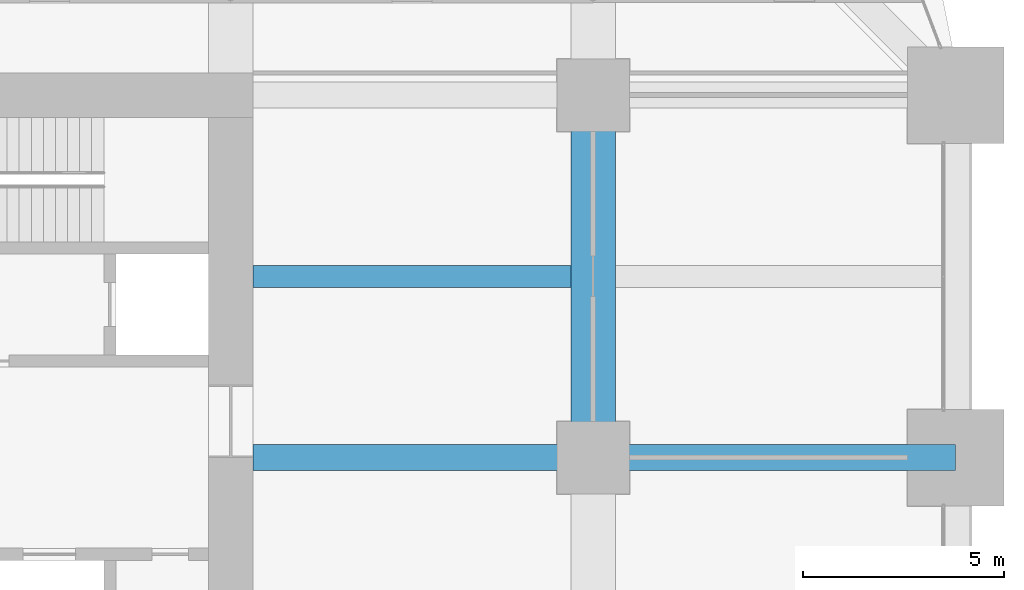
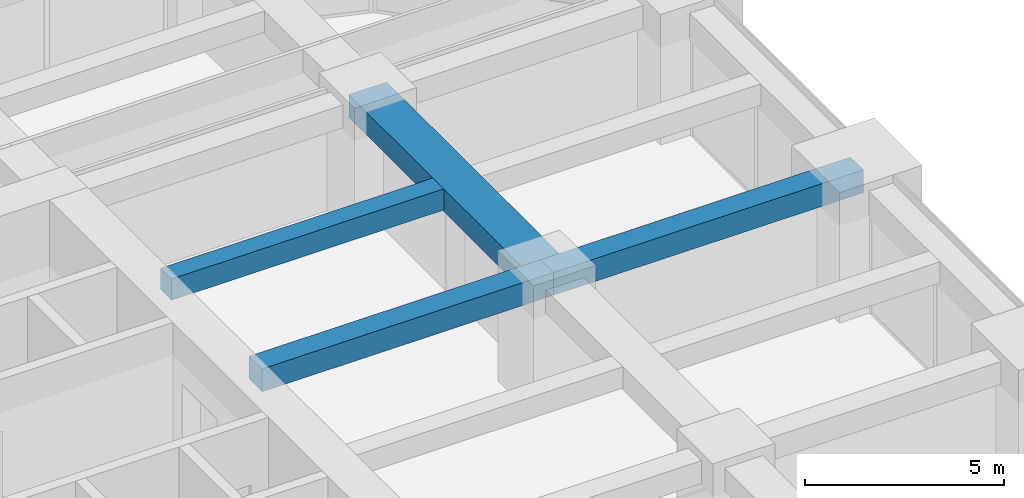
# One storey, part 22 of 41: 4 beams.
"""IFC4 building model written with IfcOpenShell, lengths in metres."""

from ifc_helpers import new_model, si_unit, direction, frame, origin, origin_2d, place, context, subcontext, project, spatial, rectangle, extrude, material, material_profile, profile_set, type_object, element, save


model = new_model("IFC4")

# Units and contexts
model_context = context("Model", 3, precision=1e-05, world=origin(), true_north=direction((0.0, 1.0)))
body_context = subcontext(model_context, "Body", "Model", "MODEL_VIEW")
ifc_project = project(units=[si_unit("LENGTHUNIT", "METRE"), si_unit("AREAUNIT", "SQUARE_METRE"), si_unit("VOLUMEUNIT", "CUBIC_METRE"), si_unit("PLANEANGLEUNIT", "RADIAN"), si_unit("MASSUNIT", "GRAM", prefix="KILO")], contexts=[model_context])

# Site, building, storey
site_placement = place(None, origin())
site = spatial("IfcSite", under=ifc_project, at=site_placement, CompositionType="ELEMENT")
building_placement = place(site_placement, origin())
building = spatial("IfcBuilding", under=site, at=building_placement, Name="Zorevar Civic Tower", CompositionType="ELEMENT")
storey_placement = place(building_placement, frame((0.0, 0.0, 137.0)))
storey = spatial("IfcBuildingStorey", under=building, at=storey_placement, Name="L33", CompositionType="ELEMENT", Elevation=137.0)

# Beams
ifc_material_1 = material(Name="Concrete C50/60", Category="concrete")
ifc_material_profile_1 = material_profile(ifc_material_1, rectangle(XDim=1.10009765625, YDim=0.699951171875, at=origin_2d()), Name="RC 1100x700")
ifc_profile_set_1 = profile_set([ifc_material_profile_1], Name="Concrete C50/60")
beam_type_1 = type_object("IfcBeamType", Name="Beam RC 1100x700", PredefinedType="BEAM", material=ifc_profile_set_1)
beam_1_placement = place(storey_placement, frame((54.0, 27.0, 3.39990234375), z_axis=(0.0, 1.0, 0.0), x_axis=(-1.0, 0.0, 0.0)))
element("IfcBeam", 1, at=beam_1_placement, inside=storey, type_object=beam_type_1, Name="Girder L34", PredefinedType="BEAM", context=body_context, shape_type="SweptSolid", body=[
    extrude(rectangle(XDim=1.10009765625, YDim=0.699951171875, at=origin_2d()), origin(), (0.0, 0.0, 1.0), 9.0),
])
ifc_material_2 = material(Name="Concrete C50/60", Category="concrete")
ifc_material_profile_2 = material_profile(ifc_material_2, rectangle(XDim=0.550048828125, YDim=0.64990234375, at=origin_2d()), Name="RC 550x650")
ifc_profile_set_2 = profile_set([ifc_material_profile_2], Name="Concrete C50/60")
beam_type_2 = type_object("IfcBeamType", Name="Beam RC 550x650", PredefinedType="BEAM", material=ifc_profile_set_2)
beam_2_placement = place(storey_placement, frame((45.550048828125, 31.5, 3.425048828125), z_axis=(1.0, 0.0, 0.0), x_axis=(0.0, 1.0, 0.0)))
element("IfcBeam", 2, at=beam_2_placement, inside=storey, type_object=beam_type_2, Name="Secondary beam L34", PredefinedType="BEAM", context=body_context, shape_type="SweptSolid", body=[
    extrude(rectangle(XDim=0.550048828125, YDim=0.64990234375, at=origin_2d()), origin(), (0.0, 0.0, 1.0), 7.89990234375),
])
ifc_material_3 = material(Name="Concrete C50/60", Category="concrete")
ifc_material_profile_3 = material_profile(ifc_material_3, rectangle(XDim=0.64990234375, YDim=0.699951171875, at=origin_2d()), Name="RC 650x700")
ifc_profile_set_3 = profile_set([ifc_material_profile_3], Name="Concrete C50/60")
beam_type_3 = type_object("IfcBeamType", Name="Beam RC 650x700", PredefinedType="BEAM", material=ifc_profile_set_3)
beam_3_placement = place(storey_placement, frame((45.550048828125, 27.0, 3.39990234375), z_axis=(1.0, 0.0, 0.0), x_axis=(0.0, 1.0, 0.0)))
element("IfcBeam", 3, at=beam_3_placement, inside=storey, type_object=beam_type_3, Name="Girder L34", PredefinedType="BEAM", context=body_context, shape_type="SweptSolid", body=[
    extrude(rectangle(XDim=0.64990234375, YDim=0.699951171875, at=origin_2d()), origin(), (0.0, 0.0, 1.0), 8.449951171875),
])
beam_4_placement = place(storey_placement, frame((54.0, 27.0, 3.39990234375), z_axis=(1.0, 0.0, 0.0), x_axis=(0.0, 1.0, 0.0)))
element("IfcBeam", 4, at=beam_4_placement, inside=storey, type_object=beam_type_3, Name="Girder L34", PredefinedType="BEAM", context=body_context, shape_type="SweptSolid", body=[
    extrude(rectangle(XDim=0.64990234375, YDim=0.699951171875, at=origin_2d()), origin(), (0.0, 0.0, 1.0), 9.0),
])

save(model, "model.ifc")
